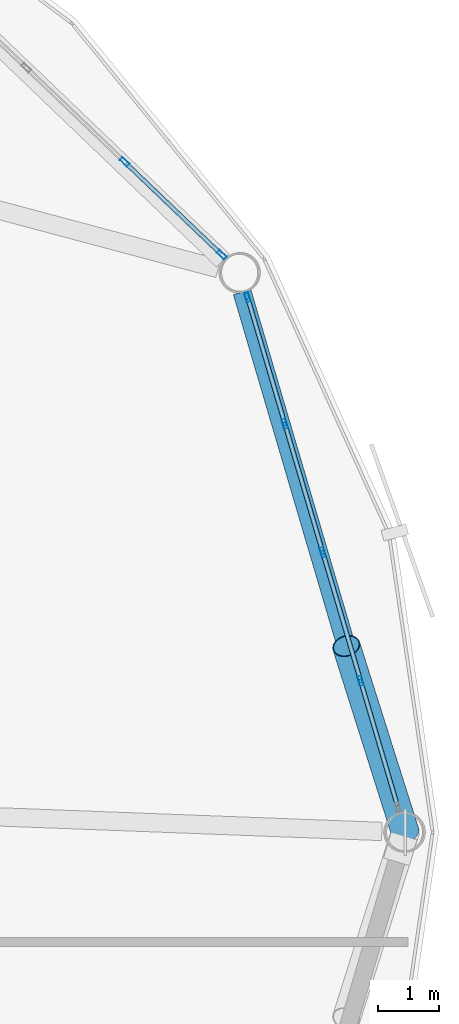
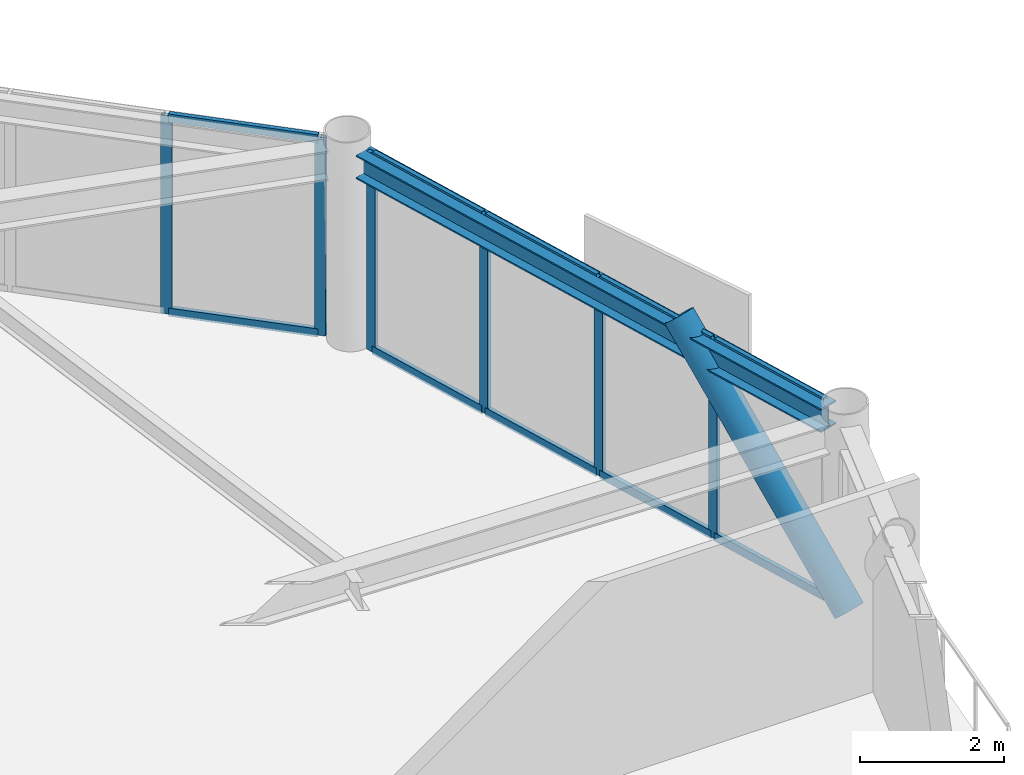
# One storey, part 16 of 28: 17 members, 1 beam, 2 elements without a shape of their own.
"""IFC4 building model written with IfcOpenShell, lengths in metres."""

import ifcopenshell
import ifcopenshell.guid

model = None  # the IFC model being written
_history = None  # IfcOwnerHistory: only IFC2X3 demands one
_inside = {}  # id of a spatial element -> (the spatial element, [elements in it])
_under = {}  # id of a project, library or spatial element -> (it, [spatial elements below it])
_declared = {}  # id of a project -> (the project, [libraries it declares])
_typed = {}  # id of a type object -> (the type object, [elements of that type])
_made_of = {}  # id of a material, layer set ... -> (it, [elements and type objects made of it])


def new_model(schema):
    """Start an empty IFC model of exactly this schema.

    Asked for "IFC4X3", IfcOpenShell would pick the latest addendum, in which some entities
    have other attributes; the version numbers below select the first issue.
    IFC2X3 requires an IfcOwnerHistory on every rooted entity: one is made here for all.
    """
    global model, _history
    if schema == "IFC4X3":
        model = ifcopenshell.file(schema_version=(4, 3, 0, 0))
    else:
        model = ifcopenshell.file(schema=schema)
    _inside.clear()
    _under.clear()
    _declared.clear()
    _typed.clear()
    _made_of.clear()
    _history = None
    if model.schema == "IFC2X3":
        org = make("IfcOrganization", Name="unknown")
        user = make(
            "IfcPersonAndOrganization",
            ThePerson=make("IfcPerson", FamilyName="unknown"),
            TheOrganization=org,
        )
        app = make(
            "IfcApplication",
            ApplicationDeveloper=org,
            Version="unknown",
            ApplicationFullName="unknown",
            ApplicationIdentifier="unknown",
        )
        _history = make(
            "IfcOwnerHistory",
            OwningUser=user,
            OwningApplication=app,
            ChangeAction="ADDED",
            CreationDate=0,
        )
    return model


def make(cls, **values):
    """One entity of the class cls with the attributes given. An attribute that is None is left unset."""
    return model.create_entity(
        cls, **{name: value for name, value in values.items() if value is not None}
    )


def rooted(cls, **values):
    """An entity with a GlobalId (a new one), such as an element, a storey or a relation."""
    return make(cls, GlobalId=ifcopenshell.guid.new(), OwnerHistory=_history, **values)


def si_unit(unit_type, name, prefix=None):
    """IfcSIUnit, for example si_unit("LENGTHUNIT", "METRE", prefix="MILLI")."""
    return make("IfcSIUnit", UnitType=unit_type, Prefix=prefix, Name=name)


def assignment(units):
    """IfcUnitAssignment: the units of a project."""
    return None if units is None else make("IfcUnitAssignment", Units=units)


def point(xyz):
    """IfcCartesianPoint."""
    return None if xyz is None else make("IfcCartesianPoint", Coordinates=xyz)


def direction(xyz):
    """IfcDirection."""
    return None if xyz is None else make("IfcDirection", DirectionRatios=xyz)


def frame(location, z_axis=None, x_axis=None):
    """IfcAxis2Placement3D, a coordinate frame: its origin and axes. An axis left out is left unset."""
    return make(
        "IfcAxis2Placement3D",
        Location=point(location),
        Axis=direction(z_axis),
        RefDirection=direction(x_axis),
    )


def frame_2d(location, x_axis=None):
    """IfcAxis2Placement2D, a coordinate frame in the plane: its origin and x axis."""
    return make(
        "IfcAxis2Placement2D", Location=point(location), RefDirection=direction(x_axis)
    )


def origin():
    """The frame at (0, 0, 0) with its axes left unset."""
    return frame((0.0, 0.0, 0.0))


def origin_2d():
    """The frame at (0, 0) in the plane with its x axis left unset."""
    return frame_2d((0.0, 0.0))


def place(relative_to, where):
    """IfcLocalPlacement: puts the frame where relative to a parent placement (None: the world)."""
    return make(
        "IfcLocalPlacement", PlacementRelTo=relative_to, RelativePlacement=where
    )


def context(
    kind, dimensions, precision=None, world=None, true_north=None, identifier=None
):
    """IfcGeometricRepresentationContext, for example the 3D "Model" context."""
    return make(
        "IfcGeometricRepresentationContext",
        ContextIdentifier=identifier,
        ContextType=kind,
        CoordinateSpaceDimension=dimensions,
        Precision=precision,
        WorldCoordinateSystem=world,
        TrueNorth=true_north,
    )


def subcontext(parent, identifier, kind, view, scale=None):
    """IfcGeometricRepresentationSubContext, for example "Body" below "Model"."""
    return make(
        "IfcGeometricRepresentationSubContext",
        ContextIdentifier=identifier,
        ContextType=kind,
        ParentContext=parent,
        TargetScale=scale,
        TargetView=view,
    )


def project(units=None, contexts=None):
    """IfcProject with its units and contexts."""
    return rooted(
        "IfcProject",
        Name="project",
        RepresentationContexts=contexts,
        UnitsInContext=assignment(units),
    )


def spatial(cls, under=None, at=None, **own):
    """A site, building, storey or space (cls), placed at a placement, below another one or the project."""
    s = rooted(cls, ObjectPlacement=at, **own)
    if under is not None:
        _under.setdefault(under.id(), (under, []))[1].append(s)
    return s


def profile(cls, at=None, kind="AREA", **sizes):
    """A parametric profile (cls). Its sizes go by their IFC names, for example OverallWidth=200.0."""
    return make(cls, ProfileType=kind, Position=at, **sizes)


def hollow_rectangle(**sizes):
    """IfcRectangleHollowProfileDef."""
    return profile("IfcRectangleHollowProfileDef", **sizes)


def hollow_circle(**sizes):
    """IfcCircleHollowProfileDef."""
    return profile("IfcCircleHollowProfileDef", **sizes)


def i_section(**sizes):
    """IfcIShapeProfileDef."""
    return profile("IfcIShapeProfileDef", **sizes)


def extrude(swept, where, along, depth):
    """IfcExtrudedAreaSolid: the profile swept, set in the frame where, extruded along a direction by depth."""
    return make(
        "IfcExtrudedAreaSolid",
        SweptArea=swept,
        Position=where,
        ExtrudedDirection=direction(along),
        Depth=depth,
    )


def shape(context_of_items, identifier, shape_type, items):
    """IfcShapeRepresentation: the items that make up one representation, for example the "Body"."""
    return make(
        "IfcShapeRepresentation",
        ContextOfItems=context_of_items,
        RepresentationIdentifier=identifier,
        RepresentationType=shape_type,
        Items=items,
    )


def material(Name=None, Category=None):
    """IfcMaterial."""
    return make("IfcMaterial", Name=Name, Category=Category)


def layer(
    of_material, thickness, ventilated=None, Name=None, Category=None, Priority=None
):
    """IfcMaterialLayer: one layer of a wall or slab, of a material (None: an air gap)."""
    return make(
        "IfcMaterialLayer",
        Material=of_material,
        LayerThickness=thickness,
        IsVentilated=ventilated,
        Name=Name,
        Category=Category,
        Priority=Priority,
    )


def layer_set(layers, Name=None):
    """IfcMaterialLayerSet."""
    return make("IfcMaterialLayerSet", MaterialLayers=layers, LayerSetName=Name)


def material_profile(
    of_material, cross_section, Name=None, Category=None, Priority=None
):
    """IfcMaterialProfile: a cross section and its material."""
    return make(
        "IfcMaterialProfile",
        Name=Name,
        Material=of_material,
        Profile=cross_section,
        Priority=Priority,
        Category=Category,
    )


def profile_set(profiles, Name=None, composite=None):
    """IfcMaterialProfileSet."""
    return make(
        "IfcMaterialProfileSet",
        Name=Name,
        MaterialProfiles=profiles,
        CompositeProfile=composite,
    )


def made_of(thing, what):
    """Note that an element or type object is made of a material, layer set ...; save() writes the relation."""
    if what is not None:
        _made_of.setdefault(what.id(), (what, []))[1].append(thing)
    return thing


def type_object(cls, material=None, **own):
    """A type object (cls), such as IfcWallType, which elements share."""
    return made_of(rooted(cls, **own), material)


def element(
    cls,
    number,
    at=None,
    inside=None,
    cuts=None,
    type_object=None,
    material=None,
    context=None,
    identifier="Body",
    shape_type=None,
    held_by="IfcProductDefinitionShape",
    body=None,
    shapes=None,
    **own,
):
    """One element of the class cls, such as IfcWall. Its Tag is "e" and its number.

    at: its placement. inside: the storey or other place that contains it. cuts: it is an
    opening in that element (IfcRelVoidsElement). A single representation is given by context,
    identifier, shape_type and body (its items); several are given by shapes. held_by: the class
    of the entity that holds the representations. save() writes the other relations.
    """
    e = rooted(cls, Tag="e%d" % number, ObjectPlacement=at, **own)
    if body is not None:
        shapes = [shape(context, identifier, shape_type, body)]
    if shapes is not None:
        e.Representation = make(held_by, Representations=shapes)
    if inside is not None:
        _inside.setdefault(inside.id(), (inside, []))[1].append(e)
    if cuts is not None:
        rooted(
            "IfcRelVoidsElement", RelatingBuildingElement=cuts, RelatedOpeningElement=e
        )
    if type_object is not None:
        _typed.setdefault(type_object.id(), (type_object, []))[1].append(e)
    return made_of(e, material)


def aggregate(whole, parts):
    """IfcRelAggregates: a whole, such as a stair, and the parts it consists of."""
    return rooted("IfcRelAggregates", RelatingObject=whole, RelatedObjects=parts)


def save(model, path):
    """Write the relations noted so far, then the file.

    IfcRelAggregates (storeys below a building ...), IfcRelContainedInSpatialStructure (elements
    in a storey), IfcRelDefinesByType, IfcRelAssociatesMaterial and IfcRelDeclares: one each for
    every whole, place, type object, material and project.
    """
    for whole, parts in _under.values():
        aggregate(whole, parts)
    for where, things in _inside.values():
        rooted(
            "IfcRelContainedInSpatialStructure",
            RelatedElements=things,
            RelatingStructure=where,
        )
    for kind, things in _typed.values():
        rooted("IfcRelDefinesByType", RelatedObjects=things, RelatingType=kind)
    for what, things in _made_of.values():
        rooted("IfcRelAssociatesMaterial", RelatedObjects=things, RelatingMaterial=what)
    for by, libraries in _declared.values():
        rooted("IfcRelDeclares", RelatingContext=by, RelatedDefinitions=libraries)
    model.write(path)


model = new_model("IFC4")

# Units and contexts
model_context = context("Model", 3, precision=1e-05, world=origin(), true_north=direction((0.0, 1.0)))
body_context = subcontext(model_context, "Body", "Model", "MODEL_VIEW")
ifc_project = project(units=[si_unit("LENGTHUNIT", "METRE"), si_unit("AREAUNIT", "SQUARE_METRE"), si_unit("VOLUMEUNIT", "CUBIC_METRE"), si_unit("PLANEANGLEUNIT", "RADIAN"), si_unit("MASSUNIT", "GRAM", prefix="KILO")], contexts=[model_context])

# Site, building, storey
site_placement = place(None, origin())
site = spatial("IfcSite", under=ifc_project, at=site_placement, CompositionType="ELEMENT")
building_placement = place(site_placement, origin())
building = spatial("IfcBuilding", under=site, at=building_placement, Name="Varnakorn Sky Granary", CompositionType="ELEMENT")
storey_placement = place(building_placement, frame((0.0, 0.0, 204.0)))
storey = spatial("IfcBuildingStorey", under=building, at=storey_placement, Name="L51", CompositionType="ELEMENT", Elevation=204.0)

# Beam
ifc_material_1 = material(Name="Steel S355JR", Category="steel")
ifc_material_profile_1 = material_profile(ifc_material_1, i_section(OverallWidth=0.300048828125, OverallDepth=0.39990234375, WebThickness=0.013427734375, FlangeThickness=0.02392578125, at=origin_2d()), Name="HE 400 B")
ifc_profile_set_1 = profile_set([ifc_material_profile_1], Name="Steel S355JR")
beam_type = type_object("IfcBeamType", Name="BM-SPD-Z4", PredefinedType="SPANDREL", material=ifc_profile_set_1)
beam_placement = place(storey_placement, frame((24.001220703125, 0.30224609375, 3.159912109375), z_axis=(-0.28237096291, 0.959305289939, 0.0), x_axis=(-0.959305289939, -0.28237096291, 0.0)))
element("IfcBeam", 1, at=beam_placement, inside=storey, type_object=beam_type, Name="Perimeter Spandrel Ring Beam RB01 L51", PredefinedType="SPANDREL", context=body_context, shape_type="SweptSolid", body=[
    extrude(i_section(OverallWidth=0.300048828125, OverallDepth=0.39990234375, WebThickness=0.013427734375, FlangeThickness=0.02392578125, at=origin_2d()), origin(), (0.0, 0.0, 1.0), 8.913330078125),
])

# Curtain wall, members
ifc_material_2 = material(Name="Anodised Bronze Aluminium Alloy 6063-T6", Category="aluminium")
ifc_layer = layer(ifc_material_2, 0.169921875, Name="Anodised Bronze Aluminium Alloy 6063-T6")
ifc_layer_set = layer_set([ifc_layer], Name="Anodised Bronze Aluminium Alloy 6063-T6")
curtain_wall_type = type_object("IfcCurtainWallType", Name="CW-LAB-1", PredefinedType="USERDEFINED", material=ifc_layer_set)
curtain_wall_1_placement = place(storey_placement, origin())
curtain_wall_1 = element("IfcCurtainWall", 2, at=curtain_wall_1_placement, inside=storey, type_object=curtain_wall_type, Name="Unitised Curtain Wall CW5 CW-L51-B01", ObjectType="CURTAIN WALL", PredefinedType="USERDEFINED")
ifc_material_profile_2 = material_profile(ifc_material_2, hollow_rectangle(XDim=0.06494140625, YDim=0.159912109375, WallThickness=0.00341796875, at=origin_2d()), Name="ALU MULL 65x160")
ifc_profile_set_2 = profile_set([ifc_material_profile_2], Name="Anodised Bronze Aluminium Alloy 6063-T6")
member_type_1 = type_object("IfcMemberType", Name="CW-LAB-1-MULL", PredefinedType="MULLION", material=ifc_profile_set_2)
member_1_placement = place(storey_placement, frame((21.57373046875, 8.766845703125, 0.0), z_axis=(0.0, 0.0, 1.0), x_axis=(0.959195433293, 0.282743913729, 0.0)))
member_1 = element("IfcMember", 3, at=member_1_placement, type_object=member_type_1, Name="CW5 mullion 1", PredefinedType="MULLION", context=body_context, shape_type="SweptSolid", body=[
    extrude(hollow_rectangle(XDim=0.06494140625, YDim=0.159912109375, WallThickness=0.00341796875, at=origin_2d()), origin(), (0.0, 0.0, 1.0), 3.360107421875),
])
member_2_placement = place(storey_placement, frame((22.185302734375, 6.69189453125, 0.0), z_axis=(0.0, 0.0, 1.0), x_axis=(0.959195433293, 0.282743913729, 0.0)))
member_2 = element("IfcMember", 4, at=member_2_placement, type_object=member_type_1, Name="CW5 mullion 2", PredefinedType="MULLION", context=body_context, shape_type="SweptSolid", body=[
    extrude(hollow_rectangle(XDim=0.06494140625, YDim=0.159912109375, WallThickness=0.00341796875, at=origin_2d()), origin(), (0.0, 0.0, 1.0), 3.360107421875),
])
member_3_placement = place(storey_placement, frame((22.80615234375, 4.5859375, 0.0), z_axis=(0.0, 0.0, 1.0), x_axis=(0.959195433293, 0.282743913729, 0.0)))
member_3 = element("IfcMember", 5, at=member_3_placement, type_object=member_type_1, Name="CW5 mullion 3", PredefinedType="MULLION", context=body_context, shape_type="SweptSolid", body=[
    extrude(hollow_rectangle(XDim=0.06494140625, YDim=0.159912109375, WallThickness=0.00341796875, at=origin_2d()), origin(), (0.0, 0.0, 1.0), 3.360107421875),
])
member_4_placement = place(storey_placement, frame((23.427001953125, 2.47998046875, 0.0), z_axis=(0.0, 0.0, 1.0), x_axis=(0.959195433293, 0.282743913729, 0.0)))
member_4 = element("IfcMember", 6, at=member_4_placement, type_object=member_type_1, Name="CW5 mullion 4", PredefinedType="MULLION", context=body_context, shape_type="SweptSolid", body=[
    extrude(hollow_rectangle(XDim=0.06494140625, YDim=0.159912109375, WallThickness=0.00341796875, at=origin_2d()), origin(), (0.0, 0.0, 1.0), 3.360107421875),
])

curtain_wall_2_placement = place(storey_placement, origin())
curtain_wall_2 = element("IfcCurtainWall", 7, at=curtain_wall_2_placement, inside=storey, type_object=curtain_wall_type, Name="Unitised Curtain Wall CW5 CW-L51-B02", ObjectType="CURTAIN WALL", PredefinedType="USERDEFINED")
member_5_placement = place(storey_placement, frame((19.558837890625, 10.9853515625, 0.0), z_axis=(0.0, 0.0, 1.0), x_axis=(0.691317195735, 0.722551406393, 0.0)))
member_5 = element("IfcMember", 8, at=member_5_placement, type_object=member_type_1, Name="CW5 mullion 4", PredefinedType="MULLION", context=body_context, shape_type="SweptSolid", body=[
    extrude(hollow_rectangle(XDim=0.06494140625, YDim=0.159912109375, WallThickness=0.00341796875, at=origin_2d()), origin(), (0.0, 0.0, 1.0), 3.360107421875),
])
member_6_placement = place(storey_placement, frame((21.14892578125, 9.464111328125, 0.0), z_axis=(0.0, 0.0, 1.0), x_axis=(0.691317195735, 0.722551406393, 0.0)))
member_6 = element("IfcMember", 9, at=member_6_placement, type_object=member_type_1, Name="CW5 mullion 5", PredefinedType="MULLION", context=body_context, shape_type="SweptSolid", body=[
    extrude(hollow_rectangle(XDim=0.06494140625, YDim=0.159912109375, WallThickness=0.00341796875, at=origin_2d()), origin(), (0.0, 0.0, 1.0), 3.360107421875),
])

# Member
ifc_material_profile_3 = material_profile(ifc_material_2, hollow_rectangle(XDim=0.070068359375, YDim=0.139892578125, WallThickness=0.00341796875, at=origin_2d()), Name="ALU TRAN 70x140")
ifc_profile_set_3 = profile_set([ifc_material_profile_3], Name="Anodised Bronze Aluminium Alloy 6063-T6")
member_type_2 = type_object("IfcMemberType", Name="CW-LAB-1-TRAN", PredefinedType="USERDEFINED", material=ifc_profile_set_3)
member_7_placement = place(storey_placement, frame((21.5830078125, 8.735595703125, 0.034912109375), z_axis=(0.282764765974, -0.959189286389, 0.0), x_axis=(0.959189286389, 0.282764765974, 0.0)))
member_7 = element("IfcMember", 10, at=member_7_placement, type_object=member_type_2, Name="CW5 transom 1.1", ObjectType="TRANSOM", PredefinedType="USERDEFINED", context=body_context, shape_type="SweptSolid", body=[
    extrude(hollow_rectangle(XDim=0.070068359375, YDim=0.139892578125, WallThickness=0.00341796875, at=origin_2d()), origin(), (0.0, 0.0, 1.0), 2.09814453125),
])

member_8_placement = place(storey_placement, frame((21.5830078125, 8.735595703125, 3.324951171875), z_axis=(0.282764765974, -0.959189286389, 0.0), x_axis=(0.959189286389, 0.282764765974, 0.0)))
member_8 = element("IfcMember", 11, at=member_8_placement, type_object=member_type_2, Name="CW5 transom 1.2", ObjectType="TRANSOM", PredefinedType="USERDEFINED", context=body_context, shape_type="SweptSolid", body=[
    extrude(hollow_rectangle(XDim=0.070068359375, YDim=0.139892578125, WallThickness=0.00341796875, at=origin_2d()), origin(), (0.0, 0.0, 1.0), 2.09814453125),
])

member_9_placement = place(storey_placement, frame((22.194580078125, 6.660888671875, 0.034912109375), z_axis=(0.282687400109, -0.959212090113, 0.0), x_axis=(0.959212090113, 0.282687400109, 0.0)))
member_9 = element("IfcMember", 12, at=member_9_placement, type_object=member_type_2, Name="CW5 transom 2.1", ObjectType="TRANSOM", PredefinedType="USERDEFINED", context=body_context, shape_type="SweptSolid", body=[
    extrude(hollow_rectangle(XDim=0.070068359375, YDim=0.139892578125, WallThickness=0.00341796875, at=origin_2d()), origin(), (0.0, 0.0, 1.0), 2.130615234375),
])

member_10_placement = place(storey_placement, frame((22.194580078125, 6.660888671875, 3.324951171875), z_axis=(0.282687400109, -0.959212090113, 0.0), x_axis=(0.959212090113, 0.282687400109, 0.0)))
member_10 = element("IfcMember", 13, at=member_10_placement, type_object=member_type_2, Name="CW5 transom 2.2", ObjectType="TRANSOM", PredefinedType="USERDEFINED", context=body_context, shape_type="SweptSolid", body=[
    extrude(hollow_rectangle(XDim=0.070068359375, YDim=0.139892578125, WallThickness=0.00341796875, at=origin_2d()), origin(), (0.0, 0.0, 1.0), 2.130615234375),
])

member_11_placement = place(storey_placement, frame((22.8154296875, 4.554931640625, 0.034912109375), z_axis=(0.282687400109, -0.959212090113, 0.0), x_axis=(0.959212090113, 0.282687400109, 0.0)))
member_11 = element("IfcMember", 14, at=member_11_placement, type_object=member_type_2, Name="CW5 transom 3.1", ObjectType="TRANSOM", PredefinedType="USERDEFINED", context=body_context, shape_type="SweptSolid", body=[
    extrude(hollow_rectangle(XDim=0.070068359375, YDim=0.139892578125, WallThickness=0.00341796875, at=origin_2d()), origin(), (0.0, 0.0, 1.0), 2.130615234375),
])

member_12_placement = place(storey_placement, frame((22.8154296875, 4.554931640625, 3.324951171875), z_axis=(0.282687400109, -0.959212090113, 0.0), x_axis=(0.959212090113, 0.282687400109, 0.0)))
member_12 = element("IfcMember", 15, at=member_12_placement, type_object=member_type_2, Name="CW5 transom 3.2", ObjectType="TRANSOM", PredefinedType="USERDEFINED", context=body_context, shape_type="SweptSolid", body=[
    extrude(hollow_rectangle(XDim=0.070068359375, YDim=0.139892578125, WallThickness=0.00341796875, at=origin_2d()), origin(), (0.0, 0.0, 1.0), 2.130615234375),
])

member_13_placement = place(storey_placement, frame((23.43603515625, 2.448974609375, 0.034912109375), z_axis=(0.282764765974, -0.959189286389, 0.0), x_axis=(0.959189286389, 0.282764765974, 0.0)))
member_13 = element("IfcMember", 16, at=member_13_placement, type_object=member_type_2, Name="CW5 transom 4.1", ObjectType="TRANSOM", PredefinedType="USERDEFINED", context=body_context, shape_type="SweptSolid", body=[
    extrude(hollow_rectangle(XDim=0.070068359375, YDim=0.139892578125, WallThickness=0.00341796875, at=origin_2d()), origin(), (0.0, 0.0, 1.0), 2.09814453125),
])

member_14_placement = place(storey_placement, frame((23.43603515625, 2.448974609375, 3.324951171875), z_axis=(0.282764765974, -0.959189286389, 0.0), x_axis=(0.959189286389, 0.282764765974, 0.0)))
member_14 = element("IfcMember", 17, at=member_14_placement, type_object=member_type_2, Name="CW5 transom 4.2", ObjectType="TRANSOM", PredefinedType="USERDEFINED", context=body_context, shape_type="SweptSolid", body=[
    extrude(hollow_rectangle(XDim=0.070068359375, YDim=0.139892578125, WallThickness=0.00341796875, at=origin_2d()), origin(), (0.0, 0.0, 1.0), 2.09814453125),
])

aggregate(curtain_wall_1, [member_1, member_2, member_3, member_4, member_7, member_8, member_9, member_10, member_11, member_12, member_13, member_14])

member_15_placement = place(storey_placement, frame((19.58251953125, 10.962890625, 0.034912109375), z_axis=(0.72254005068, -0.691329064313, 0.0), x_axis=(0.691329064313, 0.72254005068, 0.0)))
member_15 = element("IfcMember", 18, at=member_15_placement, type_object=member_type_2, Name="CW5 transom 4.1", ObjectType="TRANSOM", PredefinedType="USERDEFINED", context=body_context, shape_type="SweptSolid", body=[
    extrude(hollow_rectangle(XDim=0.070068359375, YDim=0.139892578125, WallThickness=0.00341796875, at=origin_2d()), origin(), (0.0, 0.0, 1.0), 2.135498046875),
])

member_16_placement = place(storey_placement, frame((19.58251953125, 10.962890625, 3.324951171875), z_axis=(0.72254005068, -0.691329064313, 0.0), x_axis=(0.691329064313, 0.72254005068, 0.0)))
member_16 = element("IfcMember", 19, at=member_16_placement, type_object=member_type_2, Name="CW5 transom 4.2", ObjectType="TRANSOM", PredefinedType="USERDEFINED", context=body_context, shape_type="SweptSolid", body=[
    extrude(hollow_rectangle(XDim=0.070068359375, YDim=0.139892578125, WallThickness=0.00341796875, at=origin_2d()), origin(), (0.0, 0.0, 1.0), 2.135498046875),
])

aggregate(curtain_wall_2, [member_5, member_6, member_15, member_16])

ifc_material_3 = material(Name="Steel S460M", Category="steel")
ifc_material_profile_4 = material_profile(ifc_material_3, hollow_circle(Radius=0.228515625, WallThickness=0.01611328125, at=origin_2d()), Name="CHS 457x16")
ifc_profile_set_4 = profile_set([ifc_material_profile_4], Name="Steel S460M")
member_type_3 = type_object("IfcMemberType", Name="MB-DIAG-T3", PredefinedType="BRACE", material=ifc_profile_set_4)
member_17_placement = place(storey_placement, frame((24.157958984375, 0.0, 0.0), z_axis=(-0.203997564759, 0.64441990384, 0.736958602031), x_axis=(-0.953371488725, -0.301799278471, 0.0)))
element("IfcMember", 20, at=member_17_placement, inside=storey, type_object=member_type_3, Name="Perimeter CHS Diagrid Brace DG01 L51", PredefinedType="BRACE", context=body_context, shape_type="SweptSolid", body=[
    extrude(hollow_circle(Radius=0.228515625, WallThickness=0.01611328125, at=origin_2d()), origin(), (0.0, 0.0, 1.0), 4.735595703125),
])

save(model, "model.ifc")
